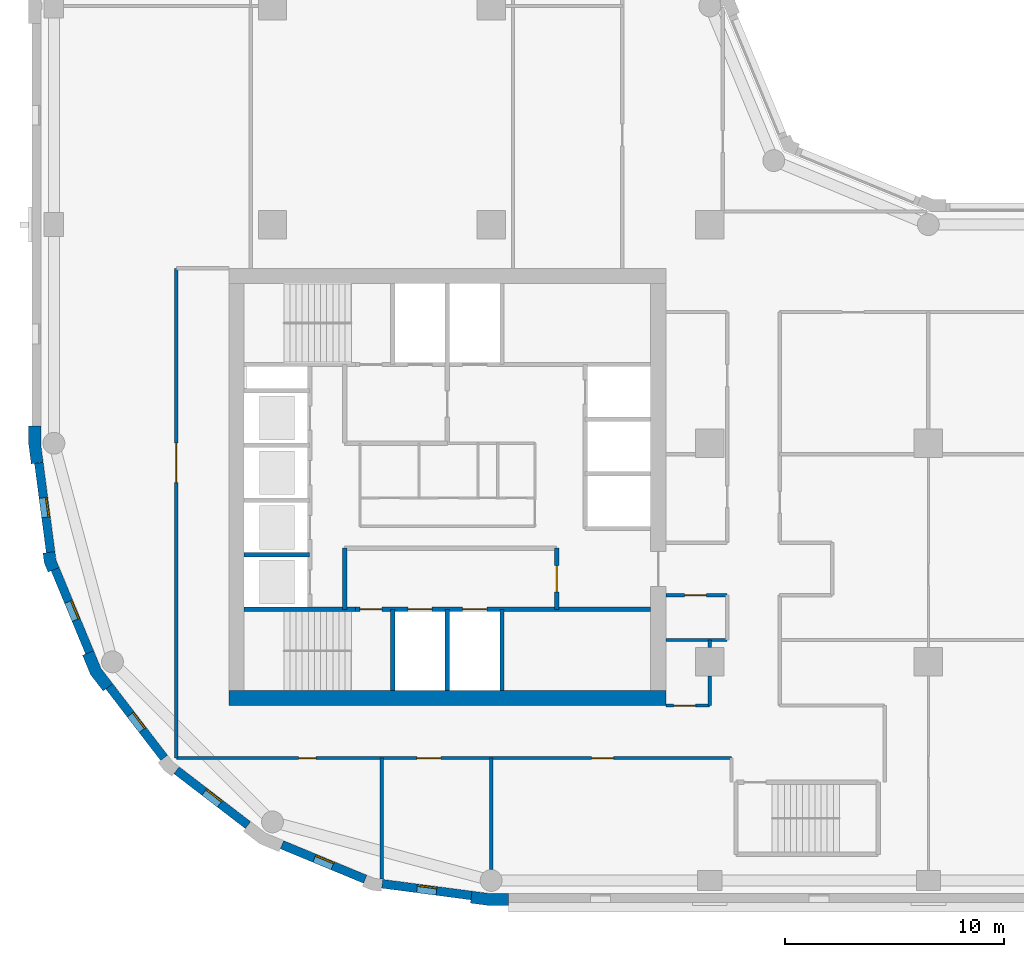
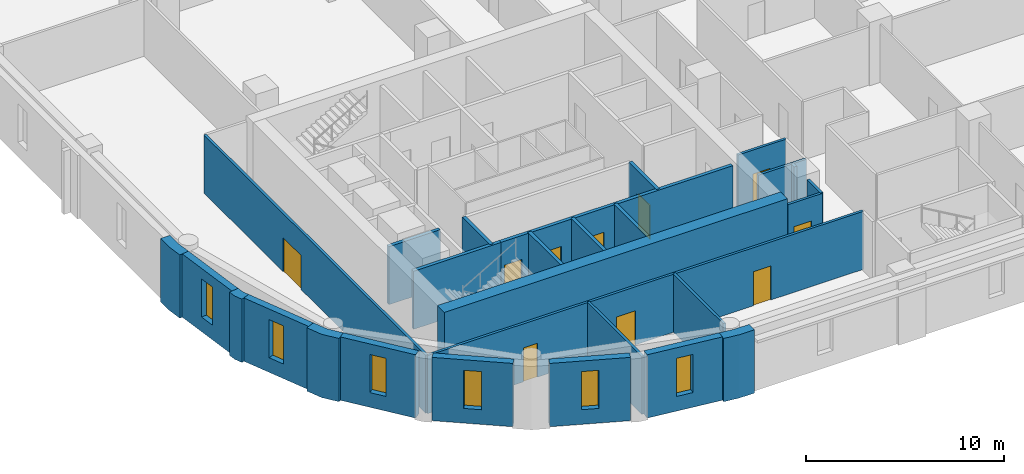
# One storey, part 2 of 9: 28 walls, 10 doors, 6 windows, 16 openings.
"""IFC4 building model written with IfcOpenShell, lengths in metres."""

from ifc_helpers import new_model, si_unit, direction, frame, frame_2d, origin, place, context, subcontext, project, spatial, polyline, rectangle, outline, extrude, material, layer, layer_set, type_object, element, fill, save


model = new_model("IFC4")

# Units and contexts
model_context = context("Model", 3, precision=1e-05, world=origin(), true_north=direction((0.0, 1.0)))
body_context = subcontext(model_context, "Body", "Model", "MODEL_VIEW")
ifc_project = project(units=[si_unit("LENGTHUNIT", "METRE"), si_unit("AREAUNIT", "SQUARE_METRE"), si_unit("VOLUMEUNIT", "CUBIC_METRE"), si_unit("PLANEANGLEUNIT", "RADIAN"), si_unit("MASSUNIT", "GRAM", prefix="KILO")], contexts=[model_context])

# Site, building, storey
site_placement = place(None, origin())
site = spatial("IfcSite", under=ifc_project, at=site_placement, CompositionType="ELEMENT")
building_placement = place(site_placement, origin())
building = spatial("IfcBuilding", under=site, at=building_placement, Name="Qaws Garden Tower", CompositionType="ELEMENT")
storey_placement = place(building_placement, frame((0.0, 0.0, 155.10009765625)))
storey = spatial("IfcBuildingStorey", under=building, at=storey_placement, Name="L37", CompositionType="ELEMENT", Elevation=155.10009765625)

# Wall, opening, window
ifc_material_1 = material(Name="Clay facing brick masonry", Category="masonry")
ifc_layer_1 = layer(ifc_material_1, 0.39990234375)
ifc_layer_set_1 = layer_set([ifc_layer_1], Name="Clay facing brick masonry")
wall_type_1 = type_object("IfcWallType", Name="Brick infill wall 400", PredefinedType="SOLIDWALL", material=ifc_layer_set_1)
wall_1_placement = place(storey_placement, frame((-0.688720703125, 19.102294921875, 0.0), z_axis=(0.0, 0.0, 1.0), x_axis=(0.130514280502, -0.991446429508, 0.0)))
wall_1 = element("IfcWall", 1, at=wall_1_placement, inside=storey, type_object=wall_type_1, Name="E-L37-infill-25", PredefinedType="SOLIDWALL", context=body_context, shape_type="SweptSolid", body=[
    extrude(rectangle(XDim=4.120849609375, YDim=0.39990234375, at=frame_2d((2.060546875, 0.0))), origin(), (0.0, 0.0, 1.0), 3.89990234375),
])
opening_1_placement = place(wall_1_placement, frame((1.610595703125, 0.0, 0.89990234375)))
opening_1 = element("IfcOpeningElement", 2, at=opening_1_placement, cuts=wall_1, Name="Opening W09", PredefinedType="OPENING", context=body_context, shape_type="SweptSolid", body=[
    extrude(rectangle(XDim=0.89990234375, YDim=2.35009765625, at=frame_2d((0.449951171875, 1.175048828125))), frame((0.0, 0.2099609375, 0.0), z_axis=(0.0, -1.0, 0.0), x_axis=(1.0, 0.0, 0.0)), (0.0, 0.0, 1.0), 0.419921875),
])
ifc_material_2 = material(Name="Aluminium framed window, clear glazing", Category="aluminium")
window_type = type_object("IfcWindowType", Name="Slit window 900 x 2350", PartitioningType="SINGLE_PANEL", PredefinedType="WINDOW", material=ifc_material_2)
window_1_placement = place(opening_1_placement, origin())
window_1 = element("IfcWindow", 3, at=window_1_placement, inside=storey, type_object=window_type, Name="E-L37-window-25-0", OverallHeight=2.35009765625, OverallWidth=0.89990234375, PartitioningType="SINGLE_PANEL", PredefinedType="WINDOW", context=body_context, shape_type="SweptSolid", body=[
    extrude(rectangle(XDim=0.89990234375, YDim=2.35009765625, at=frame_2d((0.449951171875, 1.175048828125))), frame((0.0, 0.159912109375, 0.0), z_axis=(0.0, -1.0, 0.0), x_axis=(1.0, 0.0, 0.0)), (0.0, 0.0, 1.0), 0.06005859375),
])
fill(opening_1, window_1)

wall_2_placement = place(storey_placement, frame((0.05712890625, 14.240234375, 0.0), z_axis=(0.0, 0.0, 1.0), x_axis=(0.382721546029, -0.923863744394, 0.0)))
wall_2 = element("IfcWall", 4, at=wall_2_placement, inside=storey, type_object=wall_type_1, Name="E-L37-infill-26", PredefinedType="SOLIDWALL", context=body_context, shape_type="SweptSolid", body=[
    extrude(rectangle(XDim=4.120849609375, YDim=0.39990234375, at=frame_2d((2.060546875, 0.0))), origin(), (0.0, 0.0, 1.0), 3.89990234375),
])
opening_2_placement = place(wall_2_placement, frame((1.610595703125, 0.0, 0.89990234375)))
opening_2 = element("IfcOpeningElement", 5, at=opening_2_placement, cuts=wall_2, Name="Opening W09", PredefinedType="OPENING", context=body_context, shape_type="SweptSolid", body=[
    extrude(rectangle(XDim=0.89990234375, YDim=2.35009765625, at=frame_2d((0.449951171875, 1.175048828125))), frame((0.0, 0.2099609375, 0.0), z_axis=(0.0, -1.0, 0.0), x_axis=(1.0, 0.0, 0.0)), (0.0, 0.0, 1.0), 0.419921875),
])
window_2_placement = place(opening_2_placement, origin())
window_2 = element("IfcWindow", 6, at=window_2_placement, inside=storey, type_object=window_type, Name="E-L37-window-26-0", OverallHeight=2.35009765625, OverallWidth=0.89990234375, PartitioningType="SINGLE_PANEL", PredefinedType="WINDOW", context=body_context, shape_type="SweptSolid", body=[
    extrude(rectangle(XDim=0.89990234375, YDim=2.35009765625, at=frame_2d((0.449951171875, 1.175048828125))), frame((0.0, 0.159912109375, 0.0), z_axis=(0.0, -1.0, 0.0), x_axis=(1.0, 0.0, 0.0)), (0.0, 0.0, 1.0), 0.06005859375),
])
fill(opening_2, window_2)

wall_3_placement = place(storey_placement, frame((2.53173828125, 8.87841796875, 0.0), z_axis=(0.0, 0.0, 1.0), x_axis=(0.608759824817, -0.793354571229, 0.0)))
wall_3 = element("IfcWall", 7, at=wall_3_placement, inside=storey, type_object=wall_type_1, Name="E-L37-infill-27", PredefinedType="SOLIDWALL", context=body_context, shape_type="SweptSolid", body=[
    extrude(rectangle(XDim=4.12109375, YDim=0.39990234375, at=frame_2d((2.060546875, 0.0))), origin(), (0.0, 0.0, 1.0), 3.89990234375),
])
opening_3_placement = place(wall_3_placement, frame((1.610595703125, 0.0, 0.89990234375)))
opening_3 = element("IfcOpeningElement", 8, at=opening_3_placement, cuts=wall_3, Name="Opening W09", PredefinedType="OPENING", context=body_context, shape_type="SweptSolid", body=[
    extrude(rectangle(XDim=0.89990234375, YDim=2.35009765625, at=frame_2d((0.449951171875, 1.175048828125))), frame((0.0, 0.2099609375, 0.0), z_axis=(0.0, -1.0, 0.0), x_axis=(1.0, 0.0, 0.0)), (0.0, 0.0, 1.0), 0.419921875),
])
window_3_placement = place(opening_3_placement, origin())
window_3 = element("IfcWindow", 9, at=window_3_placement, inside=storey, type_object=window_type, Name="E-L37-window-27-0", OverallHeight=2.35009765625, OverallWidth=0.89990234375, PartitioningType="SINGLE_PANEL", PredefinedType="WINDOW", context=body_context, shape_type="SweptSolid", body=[
    extrude(rectangle(XDim=0.89990234375, YDim=2.35009765625, at=frame_2d((0.449951171875, 1.175048828125))), frame((0.0, 0.159912109375, 0.0), z_axis=(0.0, -1.0, 0.0), x_axis=(1.0, 0.0, 0.0)), (0.0, 0.0, 1.0), 0.06005859375),
])
fill(opening_3, window_3)

wall_4_placement = place(storey_placement, frame((5.60888671875, 5.04052734375, 0.0), z_axis=(0.0, 0.0, 1.0), x_axis=(0.793354571229, -0.608759824817, 0.0)))
wall_4 = element("IfcWall", 10, at=wall_4_placement, inside=storey, type_object=wall_type_1, Name="E-L37-infill-28", PredefinedType="SOLIDWALL", context=body_context, shape_type="SweptSolid", body=[
    extrude(rectangle(XDim=4.12109375, YDim=0.39990234375, at=frame_2d((2.060546875, 0.0))), origin(), (0.0, 0.0, 1.0), 3.89990234375),
])
opening_4_placement = place(wall_4_placement, frame((1.610595703125, 0.0, 0.89990234375)))
opening_4 = element("IfcOpeningElement", 11, at=opening_4_placement, cuts=wall_4, Name="Opening W09", PredefinedType="OPENING", context=body_context, shape_type="SweptSolid", body=[
    extrude(rectangle(XDim=0.89990234375, YDim=2.35009765625, at=frame_2d((0.449951171875, 1.175048828125))), frame((0.0, 0.2099609375, 0.0), z_axis=(0.0, -1.0, 0.0), x_axis=(1.0, 0.0, 0.0)), (0.0, 0.0, 1.0), 0.419921875),
])
window_4_placement = place(opening_4_placement, origin())
window_4 = element("IfcWindow", 12, at=window_4_placement, inside=storey, type_object=window_type, Name="E-L37-window-28-0", OverallHeight=2.35009765625, OverallWidth=0.89990234375, PartitioningType="SINGLE_PANEL", PredefinedType="WINDOW", context=body_context, shape_type="SweptSolid", body=[
    extrude(rectangle(XDim=0.89990234375, YDim=2.35009765625, at=frame_2d((0.449951171875, 1.175048828125))), frame((0.0, 0.159912109375, 0.0), z_axis=(0.0, -1.0, 0.0), x_axis=(1.0, 0.0, 0.0)), (0.0, 0.0, 1.0), 0.06005859375),
])
fill(opening_4, window_4)

wall_5_placement = place(storey_placement, frame((10.43310546875, 1.63427734375, 0.0), z_axis=(0.0, 0.0, 1.0), x_axis=(0.923863744394, -0.382721546029, 0.0)))
wall_5 = element("IfcWall", 13, at=wall_5_placement, inside=storey, type_object=wall_type_1, Name="E-L37-infill-29", PredefinedType="SOLIDWALL", context=body_context, shape_type="SweptSolid", body=[
    extrude(rectangle(XDim=4.120849609375, YDim=0.39990234375, at=frame_2d((2.060546875, 0.0))), origin(), (0.0, 0.0, 1.0), 3.89990234375),
])
opening_5_placement = place(wall_5_placement, frame((1.610595703125, 0.0, 0.89990234375)))
opening_5 = element("IfcOpeningElement", 14, at=opening_5_placement, cuts=wall_5, Name="Opening W09", PredefinedType="OPENING", context=body_context, shape_type="SweptSolid", body=[
    extrude(rectangle(XDim=0.89990234375, YDim=2.35009765625, at=frame_2d((0.449951171875, 1.175048828125))), frame((0.0, 0.2099609375, 0.0), z_axis=(0.0, -1.0, 0.0), x_axis=(1.0, 0.0, 0.0)), (0.0, 0.0, 1.0), 0.419921875),
])
window_5_placement = place(opening_5_placement, origin())
window_5 = element("IfcWindow", 15, at=window_5_placement, inside=storey, type_object=window_type, Name="E-L37-window-29-0", OverallHeight=2.35009765625, OverallWidth=0.89990234375, PartitioningType="SINGLE_PANEL", PredefinedType="WINDOW", context=body_context, shape_type="SweptSolid", body=[
    extrude(rectangle(XDim=0.89990234375, YDim=2.35009765625, at=frame_2d((0.449951171875, 1.175048828125))), frame((0.0, 0.159912109375, 0.0), z_axis=(0.0, -1.0, 0.0), x_axis=(1.0, 0.0, 0.0)), (0.0, 0.0, 1.0), 0.06005859375),
])
fill(opening_5, window_5)

wall_6_placement = place(storey_placement, frame((15.0166015625, -0.15087890625, 0.0), z_axis=(0.0, 0.0, 1.0), x_axis=(0.991446429508, -0.130514280502, 0.0)))
wall_6 = element("IfcWall", 16, at=wall_6_placement, inside=storey, type_object=wall_type_1, Name="E-L37-infill-30", PredefinedType="SOLIDWALL", context=body_context, shape_type="SweptSolid", body=[
    extrude(rectangle(XDim=4.120849609375, YDim=0.39990234375, at=frame_2d((2.060546875, 0.0))), origin(), (0.0, 0.0, 1.0), 3.89990234375),
])
opening_6_placement = place(wall_6_placement, frame((1.610595703125, 0.0, 0.89990234375)))
opening_6 = element("IfcOpeningElement", 17, at=opening_6_placement, cuts=wall_6, Name="Opening W09", PredefinedType="OPENING", context=body_context, shape_type="SweptSolid", body=[
    extrude(rectangle(XDim=0.89990234375, YDim=2.35009765625, at=frame_2d((0.449951171875, 1.175048828125))), frame((0.0, 0.2099609375, 0.0), z_axis=(0.0, -1.0, 0.0), x_axis=(1.0, 0.0, 0.0)), (0.0, 0.0, 1.0), 0.419921875),
])
window_6_placement = place(opening_6_placement, origin())
window_6 = element("IfcWindow", 18, at=window_6_placement, inside=storey, type_object=window_type, Name="E-L37-window-30-0", OverallHeight=2.35009765625, OverallWidth=0.89990234375, PartitioningType="SINGLE_PANEL", PredefinedType="WINDOW", context=body_context, shape_type="SweptSolid", body=[
    extrude(rectangle(XDim=0.89990234375, YDim=2.35009765625, at=frame_2d((0.449951171875, 1.175048828125))), frame((0.0, 0.159912109375, 0.0), z_axis=(0.0, -1.0, 0.0), x_axis=(1.0, 0.0, 0.0)), (0.0, 0.0, 1.0), 0.06005859375),
])
fill(opening_6, window_6)

# Walls
ifc_material_3 = material(Name="Clay facing brick masonry", Category="masonry")
ifc_layer_2 = layer(ifc_material_3, 0.550048828125)
ifc_layer_set_2 = layer_set([ifc_layer_2], Name="Clay facing brick masonry")
wall_type_2 = type_object("IfcWallType", Name="Brick kink pier 550 x 600", PredefinedType="SOLIDWALL", material=ifc_layer_set_2)
placement = place(storey_placement, origin())
element("IfcWall", 19, at=placement, inside=storey, type_object=wall_type_2, Name="E-L37-pier-26", PredefinedType="SOLIDWALL", context=body_context, shape_type="SweptSolid", body=[
    extrude(outline(polyline([(-0.34912109375, 14.990478515625), (-0.497802734375, 14.970947265625), (-0.43896484375, 14.5234375), (-0.26611328125, 14.1064453125), (-0.127685546875, 14.163818359375), (0.241943359375, 14.31689453125), (0.096923828125, 14.6669921875), (0.04736328125, 15.042724609375), (-0.34912109375, 14.990478515625)])), origin(), (0.0, 0.0, 1.0), 3.89990234375),
])
ifc_material_4 = material(Name="Clay facing brick masonry", Category="masonry")
ifc_layer_3 = layer(ifc_material_4, 0.550048828125)
ifc_layer_set_3 = layer_set([ifc_layer_3], Name="Clay facing brick masonry")
wall_type_3 = type_object("IfcWallType", Name="Brick pier 550 x 1600", PredefinedType="SOLIDWALL", material=ifc_layer_set_3)
element("IfcWall", 20, at=placement, inside=storey, type_object=wall_type_3, Name="E-L37-pier-00", PredefinedType="SOLIDWALL", context=body_context, shape_type="SweptSolid", body=[
    extrude(outline(polyline([(19.076416015625, -0.886962890625), (19.056640625, -1.03564453125), (19.924560546875, -1.14990234375), (20.800048828125, -1.14990234375), (20.800048828125, -1.0), (20.800048828125, -0.60009765625), (19.960693359375, -0.60009765625), (19.12841796875, -0.490478515625), (19.076416015625, -0.886962890625)])), origin(), (0.0, 0.0, 1.0), 3.89990234375),
])
element("IfcWall", 21, at=placement, inside=storey, type_object=wall_type_3, Name="E-L37-pier-25", PredefinedType="SOLIDWALL", context=body_context, shape_type="SweptSolid", body=[
    extrude(outline(polyline([(-1.0, 20.800048828125), (-1.14990234375, 20.800048828125), (-1.14990234375, 19.924560546875), (-1.03564453125, 19.056640625), (-0.886962890625, 19.076416015625), (-0.490478515625, 19.12841796875), (-0.60009765625, 19.960693359375), (-0.60009765625, 20.800048828125), (-1.0, 20.800048828125)])), origin(), (0.0, 0.0, 1.0), 3.89990234375),
])
element("IfcWall", 22, at=placement, inside=storey, type_object=wall_type_3, Name="E-L37-pier-27", PredefinedType="SOLIDWALL", context=body_context, shape_type="SweptSolid", body=[
    extrude(outline(polyline([(1.449462890625, 10.3564453125), (1.310791015625, 10.299072265625), (1.675048828125, 9.419921875), (2.254150390625, 8.665283203125), (2.373046875, 8.756591796875), (2.6904296875, 9.0), (2.1552734375, 9.697509765625), (1.819091796875, 10.509521484375), (1.449462890625, 10.3564453125)])), origin(), (0.0, 0.0, 1.0), 3.89990234375),
])
ifc_material_5 = material(Name="Concrete C70", Category="concrete")
ifc_layer_4 = layer(ifc_material_5, 0.199951171875)
ifc_layer_set_4 = layer_set([ifc_layer_4], Name="Concrete C70")
wall_type_4 = type_object("IfcWallType", Name="Core shaft wall 200 C70", PredefinedType="SHEAR", material=ifc_layer_set_4)
wall_11_placement = place(storey_placement, frame((8.699951171875, 12.39990234375, 0.0), z_axis=(0.0, 0.0, 1.0), x_axis=(1.0, 0.0, 0.0)))
element("IfcWall", 23, at=wall_11_placement, inside=storey, type_object=wall_type_4, Name="Shaft wall", PredefinedType="SHEAR", context=body_context, shape_type="SweptSolid", body=[
    extrude(rectangle(XDim=5.10009765625, YDim=0.199951171875, at=frame_2d((2.550048828125, 0.0))), origin(), (0.0, 0.0, 1.0), 3.579833984375),
])

# Wall, openings, doors
wall_12_placement = place(storey_placement, frame((13.800048828125, 12.39990234375, 0.0), z_axis=(0.0, 0.0, 1.0), x_axis=(1.0, 0.0, 0.0)))
wall_12 = element("IfcWall", 24, at=wall_12_placement, inside=storey, type_object=wall_type_4, Name="Shaft wall", PredefinedType="SHEAR", context=body_context, shape_type="SweptSolid", body=[
    extrude(rectangle(XDim=13.5, YDim=0.199951171875, at=frame_2d((6.75, 0.0))), origin(), (0.0, 0.0, 1.0), 3.579833984375),
])
opening_7_placement = place(wall_12_placement, frame((2.39990234375, 0.0, 0.0)))
opening_7 = element("IfcOpeningElement", 25, at=opening_7_placement, cuts=wall_12, Name="Opening LD06", PredefinedType="OPENING", context=body_context, shape_type="SweptSolid", body=[
    extrude(rectangle(XDim=1.10009765625, YDim=2.10009765625, at=frame_2d((0.550048828125, 1.050048828125))), frame((0.0, 0.10986328125, 0.0), z_axis=(0.0, -1.0, 0.0), x_axis=(1.0, 0.0, 0.0)), (0.0, 0.0, 1.0), 0.219970703125),
])
opening_8_placement = place(wall_12_placement, frame((4.89990234375, 0.0, 0.0)))
opening_8 = element("IfcOpeningElement", 26, at=opening_8_placement, cuts=wall_12, Name="Opening LD07", PredefinedType="OPENING", context=body_context, shape_type="SweptSolid", body=[
    extrude(rectangle(XDim=1.10009765625, YDim=2.10009765625, at=frame_2d((0.550048828125, 1.050048828125))), frame((0.0, 0.10986328125, 0.0), z_axis=(0.0, -1.0, 0.0), x_axis=(1.0, 0.0, 0.0)), (0.0, 0.0, 1.0), 0.219970703125),
])
opening_9_placement = place(wall_12_placement, frame((0.199951171875, 0.0, 0.0)))
opening_9 = element("IfcOpeningElement", 27, at=opening_9_placement, cuts=wall_12, Name="Opening SD10", PredefinedType="OPENING", context=body_context, shape_type="SweptSolid", body=[
    extrude(rectangle(XDim=1.0, YDim=2.10009765625, at=frame_2d((0.5, 1.050048828125))), frame((0.0, 0.10986328125, 0.0), z_axis=(0.0, -1.0, 0.0), x_axis=(1.0, 0.0, 0.0)), (0.0, 0.0, 1.0), 0.219970703125),
])
ifc_material_6 = material(Name="Steel S235", Category="steel")
door_type_1 = type_object("IfcDoorType", Name="Landing door 1100x2100", OperationType="DOUBLE_DOOR_SLIDING", PredefinedType="DOOR", material=ifc_material_6)
door_1_placement = place(opening_7_placement, origin())
door_1 = element("IfcDoor", 28, at=door_1_placement, inside=storey, type_object=door_type_1, Name="Lift FF1 landing door", OperationType="DOUBLE_DOOR_SLIDING", OverallHeight=2.10009765625, OverallWidth=1.10009765625, PredefinedType="DOOR", context=body_context, shape_type="SweptSolid", body=[
    extrude(rectangle(XDim=1.10009765625, YDim=2.10009765625, at=frame_2d((0.550048828125, 1.050048828125))), frame((0.0, 0.02490234375, 0.0), z_axis=(0.0, -1.0, 0.0), x_axis=(1.0, 0.0, 0.0)), (0.0, 0.0, 1.0), 0.050048828125),
])
fill(opening_7, door_1)
door_2_placement = place(opening_8_placement, origin())
door_2 = element("IfcDoor", 29, at=door_2_placement, inside=storey, type_object=door_type_1, Name="Lift FF2 landing door", OperationType="DOUBLE_DOOR_SLIDING", OverallHeight=2.10009765625, OverallWidth=1.10009765625, PredefinedType="DOOR", context=body_context, shape_type="SweptSolid", body=[
    extrude(rectangle(XDim=1.10009765625, YDim=2.10009765625, at=frame_2d((0.550048828125, 1.050048828125))), frame((0.0, 0.02490234375, 0.0), z_axis=(0.0, -1.0, 0.0), x_axis=(1.0, 0.0, 0.0)), (0.0, 0.0, 1.0), 0.050048828125),
])
fill(opening_8, door_2)
ifc_material_7 = material(Name="Steel S235", Category="steel")
door_type_2 = type_object("IfcDoorType", Name="Stair door 1000x2100", OperationType="SINGLE_SWING_RIGHT", PredefinedType="DOOR", material=ifc_material_7)
door_3_placement = place(opening_9_placement, frame((1.0, 0.0, 0.0), z_axis=(0.0, 0.0, 1.0), x_axis=(-1.0, 0.0, 0.0)))
door_3 = element("IfcDoor", 30, at=door_3_placement, inside=storey, type_object=door_type_2, Name="Stair 1 door", OperationType="SINGLE_SWING_LEFT", OverallHeight=2.10009765625, OverallWidth=1.0, PredefinedType="DOOR", context=body_context, shape_type="SweptSolid", body=[
    extrude(rectangle(XDim=1.0, YDim=2.10009765625, at=frame_2d((0.5, 1.050048828125))), frame((0.0, 0.02490234375, 0.0), z_axis=(0.0, -1.0, 0.0), x_axis=(1.0, 0.0, 0.0)), (0.0, 0.0, 1.0), 0.050048828125),
])
fill(opening_9, door_3)

# Walls
wall_13_placement = place(storey_placement, frame((8.699951171875, 14.89990234375, 0.0), z_axis=(0.0, 0.0, 1.0), x_axis=(1.0, 0.0, 0.0)))
element("IfcWall", 31, at=wall_13_placement, inside=storey, type_object=wall_type_4, Name="Shaft wall", PredefinedType="SHEAR", context=body_context, shape_type="SweptSolid", body=[
    extrude(rectangle(XDim=3.0, YDim=0.199951171875, at=frame_2d((1.5, 0.0))), origin(), (0.0, 0.0, 1.0), 3.579833984375),
])
wall_14_placement = place(storey_placement, frame((13.300048828125, 12.39990234375, 0.0), z_axis=(0.0, 0.0, 1.0), x_axis=(0.0, 1.0, 0.0)))
element("IfcWall", 32, at=wall_14_placement, inside=storey, type_object=wall_type_4, Name="Shaft wall", PredefinedType="SHEAR", context=body_context, shape_type="SweptSolid", body=[
    extrude(rectangle(XDim=2.800048828125, YDim=0.199951171875, at=frame_2d((1.39990234375, 0.0))), origin(), (0.0, 0.0, 1.0), 3.579833984375),
])
for number, where, z_axis, x_axis, name in (
    (33, (15.5, 8.699951171875, 0.0), (0.0, 0.0, 1.0), (0.0, 1.0, 0.0), "Shaft wall"),
    (34, (18.0, 8.699951171875, 0.0), (0.0, 0.0, 1.0), (0.0, 1.0, 0.0), "Shaft wall"),
    (35, (20.5, 8.699951171875, 0.0), (0.0, 0.0, 1.0), (0.0, 1.0, 0.0), "Shaft wall"),
):
    element("IfcWall", number, at=place(storey_placement, frame(where, z_axis=z_axis, x_axis=x_axis)), inside=storey, type_object=wall_type_4, Name=name, PredefinedType="SHEAR", context=body_context, shape_type="SweptSolid", body=[
        extrude(rectangle(XDim=3.699951171875, YDim=0.199951171875, at=frame_2d((1.85009765625, 0.0))), origin(), (0.0, 0.0, 1.0), 3.579833984375),
    ])

# Wall, opening, door
wall_15_placement = place(storey_placement, frame((23.0, 12.39990234375, 0.0), z_axis=(0.0, 0.0, 1.0), x_axis=(0.0, 1.0, 0.0)))
wall_15 = element("IfcWall", 36, at=wall_15_placement, inside=storey, type_object=wall_type_4, Name="Shaft wall", PredefinedType="SHEAR", context=body_context, shape_type="SweptSolid", body=[
    extrude(rectangle(XDim=2.800048828125, YDim=0.199951171875, at=frame_2d((1.39990234375, 0.0))), origin(), (0.0, 0.0, 1.0), 3.579833984375),
])
opening_10_placement = place(wall_15_placement, frame((0.800048828125, 0.0, 0.0)))
opening_10 = element("IfcOpeningElement", 37, at=opening_10_placement, cuts=wall_15, Name="Opening FD15", PredefinedType="OPENING", context=body_context, shape_type="SweptSolid", body=[
    extrude(rectangle(XDim=1.199951171875, YDim=2.10009765625, at=frame_2d((0.60009765625, 1.050048828125))), frame((0.0, 0.10986328125, 0.0), z_axis=(0.0, -1.0, 0.0), x_axis=(1.0, 0.0, 0.0)), (0.0, 0.0, 1.0), 0.219970703125),
])
ifc_material_8 = material(Name="Steel S235", Category="steel")
door_type_3 = type_object("IfcDoorType", Name="Lobby door 1200x2100", OperationType="DOUBLE_DOOR_SINGLE_SWING", PredefinedType="DOOR", material=ifc_material_8)
door_4_placement = place(opening_10_placement, origin())
door_4 = element("IfcDoor", 38, at=door_4_placement, inside=storey, type_object=door_type_3, Name="Fire-fighting lobby door", OperationType="DOUBLE_DOOR_SINGLE_SWING", OverallHeight=2.10009765625, OverallWidth=1.199951171875, PredefinedType="DOOR", context=body_context, shape_type="SweptSolid", body=[
    extrude(rectangle(XDim=1.199951171875, YDim=2.10009765625, at=frame_2d((0.60009765625, 1.050048828125))), frame((0.0, 0.02490234375, 0.0), z_axis=(0.0, -1.0, 0.0), x_axis=(1.0, 0.0, 0.0)), (0.0, 0.0, 1.0), 0.050048828125),
])
fill(opening_10, door_4)

# Wall
ifc_material_9 = material(Name="Concrete C70", Category="concrete")
ifc_layer_5 = layer(ifc_material_9, 0.699951171875)
ifc_layer_set_5 = layer_set([ifc_layer_5], Name="Concrete C70")
wall_type_5 = type_object("IfcWallType", Name="Core wall 700 C70", PredefinedType="SHEAR", material=ifc_layer_set_5)
wall_16_placement = place(storey_placement, frame((8.0, 8.35009765625, 0.0), z_axis=(0.0, 0.0, 1.0), x_axis=(1.0, 0.0, 0.0)))
element("IfcWall", 39, at=wall_16_placement, inside=storey, type_object=wall_type_5, Name="Core wall L37 south", PredefinedType="SHEAR", context=body_context, shape_type="SweptSolid", body=[
    extrude(rectangle(XDim=20.0, YDim=0.699951171875, at=frame_2d((10.0, 0.0))), origin(), (0.0, 0.0, 1.0), 3.89990234375),
])

# Wall, opening, door
ifc_material_10 = material(Name="Gypsum board partition")
ifc_layer_6 = layer(ifc_material_10, 0.14990234375)
ifc_layer_set_6 = layer_set([ifc_layer_6], Name="Gypsum board partition")
wall_type_6 = type_object("IfcWallType", Name="PARTITION 150 EI 60", PredefinedType="PARTITIONING", material=ifc_layer_set_6)
wall_17_placement = place(storey_placement, frame((5.60009765625, 5.60009765625, 0.0), z_axis=(0.0, 0.0, 1.0), x_axis=(0.0, 1.0, 0.0)))
wall_17 = element("IfcWall", 40, at=wall_17_placement, inside=storey, type_object=wall_type_6, Name="O-L37-wall-006", PredefinedType="PARTITIONING", context=body_context, shape_type="SweptSolid", body=[
    extrude(rectangle(XDim=22.39990234375, YDim=0.14990234375, at=frame_2d((11.199951171875, 0.0))), origin(), (0.0, 0.0, 1.0), 3.579833984375),
])
opening_11_placement = place(wall_17_placement, frame((12.60009765625, 0.0, 0.0)))
opening_11 = element("IfcOpeningElement", 41, at=opening_11_placement, cuts=wall_17, Name="Opening B311", PredefinedType="OPENING", context=body_context, shape_type="SweptSolid", body=[
    extrude(rectangle(XDim=1.800048828125, YDim=2.10009765625, at=frame_2d((0.89990234375, 1.050048828125))), frame((0.0, 0.0849609375, 0.0), z_axis=(0.0, -1.0, 0.0), x_axis=(1.0, 0.0, 0.0)), (0.0, 0.0, 1.0), 0.169921875),
])
ifc_material_11 = material(Name="Timber door leaf", Category="wood")
door_type_4 = type_object("IfcDoorType", Name="DOUBLE DOOR 1800 X 2100", OperationType="DOUBLE_DOOR_SINGLE_SWING", PredefinedType="DOOR", material=ifc_material_11)
door_5_placement = place(opening_11_placement, origin())
door_5 = element("IfcDoor", 42, at=door_5_placement, inside=storey, type_object=door_type_4, Name="O-L37-door-011", OperationType="DOUBLE_DOOR_SINGLE_SWING", OverallHeight=2.10009765625, OverallWidth=1.800048828125, PredefinedType="DOOR", context=body_context, shape_type="SweptSolid", body=[
    extrude(rectangle(XDim=1.800048828125, YDim=2.10009765625, at=frame_2d((0.89990234375, 1.050048828125))), frame((0.0, 0.02490234375, 0.0), z_axis=(0.0, -1.0, 0.0), x_axis=(1.0, 0.0, 0.0)), (0.0, 0.0, 1.0), 0.050048828125),
])
fill(opening_11, door_5)

# Walls
wall_18_placement = place(storey_placement, frame((15.0, 0.06298828125, 0.0), z_axis=(0.0, 0.0, 1.0), x_axis=(0.0, 1.0, 0.0)))
element("IfcWall", 43, at=wall_18_placement, inside=storey, type_object=wall_type_6, Name="O-L37-wall-010", PredefinedType="PARTITIONING", context=body_context, shape_type="SweptSolid", body=[
    extrude(rectangle(XDim=5.537109375, YDim=0.14990234375, at=frame_2d((2.7685546875, 0.0))), origin(), (0.0, 0.0, 1.0), 3.579833984375),
])
wall_19_placement = place(storey_placement, frame((20.0, 0.5, 0.0), z_axis=(0.0, 0.0, 1.0), x_axis=(0.0, 1.0, 0.0)))
element("IfcWall", 44, at=wall_19_placement, inside=storey, type_object=wall_type_6, Name="O-L37-wall-012", PredefinedType="PARTITIONING", context=body_context, shape_type="SweptSolid", body=[
    extrude(rectangle(XDim=5.10009765625, YDim=0.14990234375, at=frame_2d((2.550048828125, 0.0))), origin(), (0.0, 0.0, 1.0), 3.579833984375),
])
wall_20_placement = place(storey_placement, frame((30.0, 8.0, 0.0), z_axis=(0.0, 0.0, 1.0), x_axis=(0.0, 1.0, 0.0)))
element("IfcWall", 45, at=wall_20_placement, inside=storey, type_object=wall_type_6, Name="O-L37-wall-016", PredefinedType="PARTITIONING", context=body_context, shape_type="SweptSolid", body=[
    extrude(rectangle(XDim=1.35009765625, YDim=0.14990234375, at=frame_2d((0.675048828125, 0.0))), origin(), (0.0, 0.0, 1.0), 3.579833984375),
])
wall_21_placement = place(storey_placement, frame((30.0, 10.64990234375, 0.0), z_axis=(0.0, 0.0, 1.0), x_axis=(0.0, 1.0, 0.0)))
element("IfcWall", 46, at=wall_21_placement, inside=storey, type_object=wall_type_6, Name="O-L37-wall-017", PredefinedType="PARTITIONING", context=body_context, shape_type="SweptSolid", body=[
    extrude(rectangle(XDim=0.35009765625, YDim=0.14990234375, at=frame_2d((0.175048828125, 0.0))), origin(), (0.0, 0.0, 1.0), 3.579833984375),
])

# Wall, openings, doors
wall_22_placement = place(storey_placement, frame((5.60009765625, 5.60009765625, 0.0), z_axis=(0.0, 0.0, 1.0), x_axis=(1.0, 0.0, 0.0)))
wall_22 = element("IfcWall", 47, at=wall_22_placement, inside=storey, type_object=wall_type_6, Name="O-L37-wall-030", PredefinedType="PARTITIONING", context=body_context, shape_type="SweptSolid", body=[
    extrude(rectangle(XDim=25.39990234375, YDim=0.14990234375, at=frame_2d((12.699951171875, 0.0))), origin(), (0.0, 0.0, 1.0), 3.579833984375),
])
opening_12_placement = place(wall_22_placement, frame((5.60009765625, 0.0, 0.0)))
opening_12 = element("IfcOpeningElement", 48, at=opening_12_placement, cuts=wall_22, Name="Opening B301", PredefinedType="OPENING", context=body_context, shape_type="SweptSolid", body=[
    extrude(rectangle(XDim=0.800048828125, YDim=2.10009765625, at=frame_2d((0.39990234375, 1.050048828125))), frame((0.0, 0.0849609375, 0.0), z_axis=(0.0, -1.0, 0.0), x_axis=(1.0, 0.0, 0.0)), (0.0, 0.0, 1.0), 0.169921875),
])
opening_13_placement = place(wall_22_placement, frame((11.0, 0.0, 0.0)))
opening_13 = element("IfcOpeningElement", 49, at=opening_13_placement, cuts=wall_22, Name="Opening B302", PredefinedType="OPENING", context=body_context, shape_type="SweptSolid", body=[
    extrude(rectangle(XDim=1.10009765625, YDim=2.10009765625, at=frame_2d((0.550048828125, 1.050048828125))), frame((0.0, 0.0849609375, 0.0), z_axis=(0.0, -1.0, 0.0), x_axis=(1.0, 0.0, 0.0)), (0.0, 0.0, 1.0), 0.169921875),
])
opening_14_placement = place(wall_22_placement, frame((19.0, 0.0, 0.0)))
opening_14 = element("IfcOpeningElement", 50, at=opening_14_placement, cuts=wall_22, Name="Opening B303", PredefinedType="OPENING", context=body_context, shape_type="SweptSolid", body=[
    extrude(rectangle(XDim=1.0, YDim=2.10009765625, at=frame_2d((0.5, 1.050048828125))), frame((0.0, 0.0849609375, 0.0), z_axis=(0.0, -1.0, 0.0), x_axis=(1.0, 0.0, 0.0)), (0.0, 0.0, 1.0), 0.169921875),
])
ifc_material_12 = material(Name="Timber door leaf", Category="wood")
door_type_5 = type_object("IfcDoorType", Name="SERVICE ROOM DOOR 1100 X 2100", OperationType="SINGLE_SWING_LEFT", PredefinedType="DOOR", material=ifc_material_12)
door_6_placement = place(opening_13_placement, frame((1.10009765625, 0.0, 0.0), z_axis=(0.0, 0.0, 1.0), x_axis=(-1.0, 0.0, 0.0)))
door_6 = element("IfcDoor", 51, at=door_6_placement, inside=storey, type_object=door_type_5, Name="O-L37-door-002", OperationType="SINGLE_SWING_LEFT", OverallHeight=2.10009765625, OverallWidth=1.10009765625, PredefinedType="DOOR", context=body_context, shape_type="SweptSolid", body=[
    extrude(rectangle(XDim=1.10009765625, YDim=2.10009765625, at=frame_2d((0.550048828125, 1.050048828125))), frame((0.0, 0.02490234375, 0.0), z_axis=(0.0, -1.0, 0.0), x_axis=(1.0, 0.0, 0.0)), (0.0, 0.0, 1.0), 0.050048828125),
])
fill(opening_13, door_6)
ifc_material_13 = material(Name="Timber door leaf", Category="wood")
door_type_6 = type_object("IfcDoorType", Name="STORE DOOR 800 X 2100", OperationType="SINGLE_SWING_LEFT", PredefinedType="DOOR", material=ifc_material_13)
door_7_placement = place(opening_12_placement, frame((0.800048828125, 0.0, 0.0), z_axis=(0.0, 0.0, 1.0), x_axis=(-1.0, 0.0, 0.0)))
door_7 = element("IfcDoor", 52, at=door_7_placement, inside=storey, type_object=door_type_6, Name="O-L37-door-001", OperationType="SINGLE_SWING_LEFT", OverallHeight=2.10009765625, OverallWidth=0.800048828125, PredefinedType="DOOR", context=body_context, shape_type="SweptSolid", body=[
    extrude(rectangle(XDim=0.800048828125, YDim=2.10009765625, at=frame_2d((0.39990234375, 1.050048828125))), frame((0.0, 0.02490234375, 0.0), z_axis=(0.0, -1.0, 0.0), x_axis=(1.0, 0.0, 0.0)), (0.0, 0.0, 1.0), 0.050048828125),
])
fill(opening_12, door_7)
ifc_material_14 = material(Name="Timber door leaf", Category="wood")
door_type_7 = type_object("IfcDoorType", Name="TENANCY ENTRANCE DOOR 1000 X 2100", OperationType="SINGLE_SWING_LEFT", PredefinedType="DOOR", material=ifc_material_14)
door_8_placement = place(opening_14_placement, frame((1.0, 0.0, 0.0), z_axis=(0.0, 0.0, 1.0), x_axis=(-1.0, 0.0, 0.0)))
door_8 = element("IfcDoor", 53, at=door_8_placement, inside=storey, type_object=door_type_7, Name="O-L37-door-003", OperationType="SINGLE_SWING_LEFT", OverallHeight=2.10009765625, OverallWidth=1.0, PredefinedType="DOOR", context=body_context, shape_type="SweptSolid", body=[
    extrude(rectangle(XDim=1.0, YDim=2.10009765625, at=frame_2d((0.5, 1.050048828125))), frame((0.0, 0.02490234375, 0.0), z_axis=(0.0, -1.0, 0.0), x_axis=(1.0, 0.0, 0.0)), (0.0, 0.0, 1.0), 0.050048828125),
])
fill(opening_14, door_8)

# Wall, opening, door
wall_23_placement = place(storey_placement, frame((28.0, 8.0, 0.0), z_axis=(0.0, 0.0, 1.0), x_axis=(1.0, 0.0, 0.0)))
wall_23 = element("IfcWall", 54, at=wall_23_placement, inside=storey, type_object=wall_type_6, Name="O-L37-wall-031", PredefinedType="PARTITIONING", context=body_context, shape_type="SweptSolid", body=[
    extrude(rectangle(XDim=2.0, YDim=0.14990234375, at=frame_2d((1.0, 0.0))), origin(), (0.0, 0.0, 1.0), 3.579833984375),
])
opening_15_placement = place(wall_23_placement, frame((0.35009765625, 0.0, 0.0)))
opening_15 = element("IfcOpeningElement", 55, at=opening_15_placement, cuts=wall_23, Name="Opening B304", PredefinedType="OPENING", context=body_context, shape_type="SweptSolid", body=[
    extrude(rectangle(XDim=1.0, YDim=2.10009765625, at=frame_2d((0.5, 1.050048828125))), frame((0.0, 0.0849609375, 0.0), z_axis=(0.0, -1.0, 0.0), x_axis=(1.0, 0.0, 0.0)), (0.0, 0.0, 1.0), 0.169921875),
])
door_9_placement = place(opening_15_placement, origin())
door_9 = element("IfcDoor", 56, at=door_9_placement, inside=storey, type_object=door_type_7, Name="O-L37-door-004", OperationType="SINGLE_SWING_LEFT", OverallHeight=2.10009765625, OverallWidth=1.0, PredefinedType="DOOR", context=body_context, shape_type="SweptSolid", body=[
    extrude(rectangle(XDim=1.0, YDim=2.10009765625, at=frame_2d((0.5, 1.050048828125))), frame((0.0, 0.02490234375, 0.0), z_axis=(0.0, -1.0, 0.0), x_axis=(1.0, 0.0, 0.0)), (0.0, 0.0, 1.0), 0.050048828125),
])
fill(opening_15, door_9)

# Wall
wall_24_placement = place(storey_placement, frame((28.0, 11.0, 0.0), z_axis=(0.0, 0.0, 1.0), x_axis=(1.0, 0.0, 0.0)))
element("IfcWall", 57, at=wall_24_placement, inside=storey, type_object=wall_type_6, Name="O-L37-wall-033", PredefinedType="PARTITIONING", context=body_context, shape_type="SweptSolid", body=[
    extrude(rectangle(XDim=2.800048828125, YDim=0.14990234375, at=frame_2d((1.39990234375, 0.0))), origin(), (0.0, 0.0, 1.0), 3.579833984375),
])

# Wall, opening, door
wall_25_placement = place(storey_placement, frame((28.0, 13.050048828125, 0.0), z_axis=(0.0, 0.0, 1.0), x_axis=(1.0, 0.0, 0.0)))
wall_25 = element("IfcWall", 58, at=wall_25_placement, inside=storey, type_object=wall_type_6, Name="O-L37-wall-035", PredefinedType="PARTITIONING", context=body_context, shape_type="SweptSolid", body=[
    extrude(rectangle(XDim=2.800048828125, YDim=0.14990234375, at=frame_2d((1.39990234375, 0.0))), origin(), (0.0, 0.0, 1.0), 3.579833984375),
])
opening_16_placement = place(wall_25_placement, frame((0.85009765625, 0.0, 0.0)))
opening_16 = element("IfcOpeningElement", 59, at=opening_16_placement, cuts=wall_25, Name="Opening B319", PredefinedType="OPENING", context=body_context, shape_type="SweptSolid", body=[
    extrude(rectangle(XDim=1.0, YDim=2.10009765625, at=frame_2d((0.5, 1.050048828125))), frame((0.0, 0.0849609375, 0.0), z_axis=(0.0, -1.0, 0.0), x_axis=(1.0, 0.0, 0.0)), (0.0, 0.0, 1.0), 0.169921875),
])
door_10_placement = place(opening_16_placement, frame((1.0, 0.0, 0.0), z_axis=(0.0, 0.0, 1.0), x_axis=(-1.0, 0.0, 0.0)))
door_10 = element("IfcDoor", 60, at=door_10_placement, inside=storey, type_object=door_type_7, Name="O-L37-door-019", OperationType="SINGLE_SWING_LEFT", OverallHeight=2.10009765625, OverallWidth=1.0, PredefinedType="DOOR", context=body_context, shape_type="SweptSolid", body=[
    extrude(rectangle(XDim=1.0, YDim=2.10009765625, at=frame_2d((0.5, 1.050048828125))), frame((0.0, 0.02490234375, 0.0), z_axis=(0.0, -1.0, 0.0), x_axis=(1.0, 0.0, 0.0)), (0.0, 0.0, 1.0), 0.050048828125),
])
fill(opening_16, door_10)

save(model, "model.ifc")
